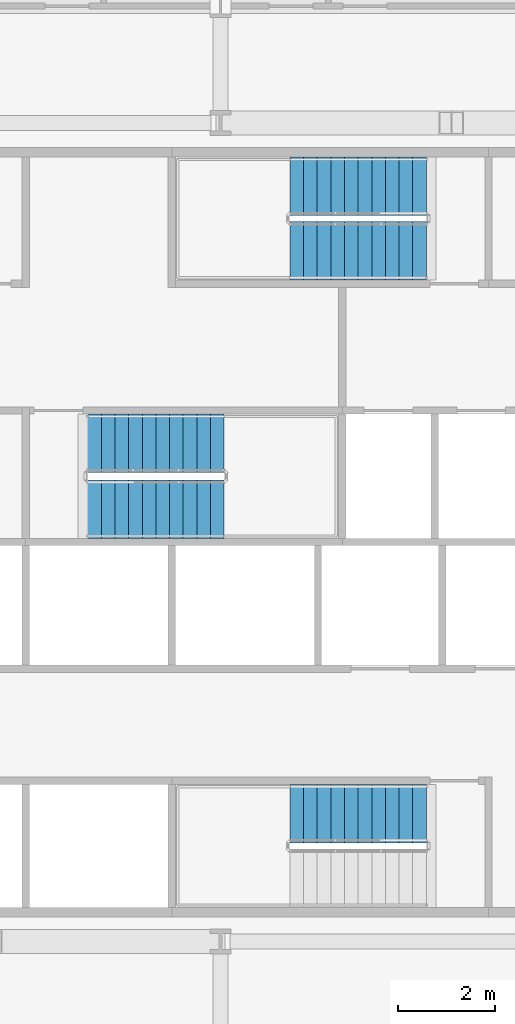
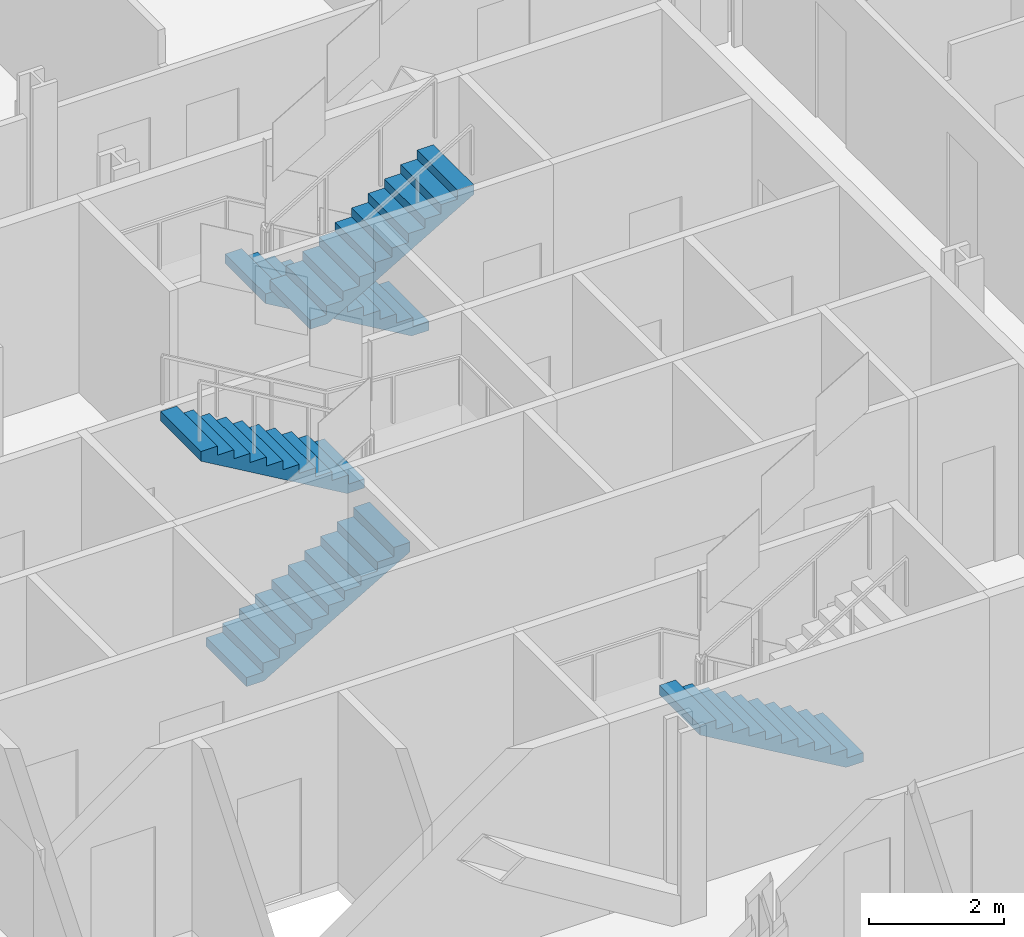
# One storey, part 14 of 21: 5 stair flights, 3 elements without a shape of their own.
"""IFC4 building model written with IfcOpenShell, lengths in metres."""

from ifc_helpers import new_model, si_unit, direction, frame, origin, place, context, subcontext, project, spatial, polyline, outline, extrude, material, type_object, element, aggregate, save


model = new_model("IFC4")

# Units and contexts
model_context = context("Model", 3, precision=1e-05, world=origin(), true_north=direction((0.0, 1.0)))
body_context = subcontext(model_context, "Body", "Model", "MODEL_VIEW")
ifc_project = project(units=[si_unit("LENGTHUNIT", "METRE"), si_unit("AREAUNIT", "SQUARE_METRE"), si_unit("VOLUMEUNIT", "CUBIC_METRE"), si_unit("PLANEANGLEUNIT", "RADIAN"), si_unit("MASSUNIT", "GRAM", prefix="KILO")], contexts=[model_context])

# Site, building, storey
site_placement = place(None, origin())
site = spatial("IfcSite", under=ifc_project, at=site_placement, CompositionType="ELEMENT")
building_placement = place(site_placement, origin())
building = spatial("IfcBuilding", under=site, at=building_placement, Name="Cairn Pilgrim Tower", CompositionType="ELEMENT")
storey_placement = place(building_placement, frame((0.0, 0.0, 69.0)))
storey = spatial("IfcBuildingStorey", under=building, at=storey_placement, Name="L15", CompositionType="ELEMENT", Elevation=69.0)

# Stair, stair flight
ifc_material = material(Name="Concrete C32/40", Category="concrete")
stair_type = type_object("IfcStairType", Name="EXIT STAIR 1200", PredefinedType="HALF_TURN_STAIR", material=ifc_material)
stair_1_placement = place(storey_placement, origin())
stair_1 = element("IfcStair", 1, at=stair_1_placement, inside=storey, type_object=stair_type, Name="L15 Exit Stair A", PredefinedType="HALF_TURN_STAIR")
stair_flight_type = type_object("IfcStairFlightType", Name="STAIR FLIGHT 1200", PredefinedType="STRAIGHT", material=ifc_material)
stair_flight_1_placement = place(storey_placement, frame((11.425048828125, -3.375, 0.0), z_axis=(0.0, 0.0, 1.0), x_axis=(-1.0, 0.0, 0.0)))
stair_flight_1 = element("IfcStairFlight", 2, at=stair_flight_1_placement, type_object=stair_flight_type, Name="ST-A flight 1", NumberOfRisers=11, NumberOfTreads=10, PredefinedType="STRAIGHT", RiserHeight=0.163636364, TreadLength=0.28, context=body_context, shape_type="SweptSolid", body=[
    extrude(outline(polyline([(0.0, 0.0), (0.0, 0.16357421875), (0.280029296875, 0.16357421875), (0.280029296875, 0.327392578125), (0.56005859375, 0.327392578125), (0.56005859375, 0.490966796875), (0.840087890625, 0.490966796875), (0.840087890625, 0.654541015625), (1.1201171875, 0.654541015625), (1.1201171875, 0.818115234375), (1.39990234375, 0.818115234375), (1.39990234375, 0.98193359375), (1.679931640625, 0.98193359375), (1.679931640625, 1.1455078125), (1.9599609375, 1.1455078125), (1.9599609375, 1.30908203125), (2.239990234375, 1.30908203125), (2.239990234375, 1.47265625), (2.52001953125, 1.47265625), (2.52001953125, 1.636474609375), (2.800048828125, 1.636474609375), (2.800048828125, 1.800048828125), (2.800048828125, 1.462646484375), (0.297119140625, 0.0), (0.0, 0.0)])), frame((0.0, 0.60009765625, 0.0), z_axis=(0.0, -1.0, 0.0), x_axis=(1.0, 0.0, 0.0)), (0.0, 0.0, 1.0), 1.199951171875),
])
aggregate(stair_1, [stair_flight_1])

# Stair, stair flights
stair_2_placement = place(storey_placement, origin())
stair_2 = element("IfcStair", 3, at=stair_2_placement, inside=storey, type_object=stair_type, Name="L15 Exit Stair B", PredefinedType="HALF_TURN_STAIR")
stair_flight_2_placement = place(storey_placement, frame((4.47509765625, 2.875, 0.0), z_axis=(0.0, 0.0, 1.0), x_axis=(1.0, 0.0, 0.0)))
stair_flight_2 = element("IfcStairFlight", 4, at=stair_flight_2_placement, type_object=stair_flight_type, Name="ST-B flight 1", NumberOfRisers=11, NumberOfTreads=10, PredefinedType="STRAIGHT", RiserHeight=0.163636364, TreadLength=0.28, context=body_context, shape_type="SweptSolid", body=[
    extrude(outline(polyline([(0.0, 0.0), (0.0, 0.16357421875), (0.280029296875, 0.16357421875), (0.280029296875, 0.327392578125), (0.56005859375, 0.327392578125), (0.56005859375, 0.490966796875), (0.840087890625, 0.490966796875), (0.840087890625, 0.654541015625), (1.1201171875, 0.654541015625), (1.1201171875, 0.818115234375), (1.39990234375, 0.818115234375), (1.39990234375, 0.98193359375), (1.679931640625, 0.98193359375), (1.679931640625, 1.1455078125), (1.9599609375, 1.1455078125), (1.9599609375, 1.30908203125), (2.239990234375, 1.30908203125), (2.239990234375, 1.47265625), (2.52001953125, 1.47265625), (2.52001953125, 1.636474609375), (2.800048828125, 1.636474609375), (2.800048828125, 1.800048828125), (2.800048828125, 1.462646484375), (0.297119140625, 0.0), (0.0, 0.0)])), frame((0.0, 0.60009765625, 0.0), z_axis=(0.0, -1.0, 0.0), x_axis=(1.0, 0.0, 0.0)), (0.0, 0.0, 1.0), 1.199951171875),
])
stair_flight_3_placement = place(storey_placement, frame((7.27490234375, 4.22509765625, 1.800048828125), z_axis=(0.0, 0.0, 1.0), x_axis=(-1.0, 0.0, 0.0)))
stair_flight_3 = element("IfcStairFlight", 5, at=stair_flight_3_placement, type_object=stair_flight_type, Name="ST-B flight 2", NumberOfRisers=11, NumberOfTreads=10, PredefinedType="STRAIGHT", RiserHeight=0.163636364, TreadLength=0.28, context=body_context, shape_type="SweptSolid", body=[
    extrude(outline(polyline([(0.0, 0.0), (0.0, 0.16357421875), (0.280029296875, 0.16357421875), (0.280029296875, 0.327392578125), (0.56005859375, 0.327392578125), (0.56005859375, 0.490966796875), (0.840087890625, 0.490966796875), (0.840087890625, 0.654541015625), (1.1201171875, 0.654541015625), (1.1201171875, 0.818115234375), (1.39990234375, 0.818115234375), (1.39990234375, 0.98193359375), (1.679931640625, 0.98193359375), (1.679931640625, 1.1455078125), (1.9599609375, 1.1455078125), (1.9599609375, 1.30908203125), (2.239990234375, 1.30908203125), (2.239990234375, 1.47265625), (2.52001953125, 1.47265625), (2.52001953125, 1.636474609375), (2.800048828125, 1.636474609375), (2.800048828125, 1.800048828125), (2.800048828125, 1.462646484375), (0.297119140625, 0.0), (0.0, 0.0)])), frame((0.0, 0.60009765625, 0.0), z_axis=(0.0, -1.0, 0.0), x_axis=(1.0, 0.0, 0.0)), (0.0, 0.0, 1.0), 1.199951171875),
])
aggregate(stair_2, [stair_flight_2, stair_flight_3])

stair_3_placement = place(storey_placement, origin())
stair_3 = element("IfcStair", 6, at=stair_3_placement, inside=storey, type_object=stair_type, Name="L15 Exit Stair C", PredefinedType="HALF_TURN_STAIR")
stair_flight_4_placement = place(storey_placement, frame((11.425048828125, 9.5, 0.0), z_axis=(0.0, 0.0, 1.0), x_axis=(-1.0, 0.0, 0.0)))
stair_flight_4 = element("IfcStairFlight", 7, at=stair_flight_4_placement, type_object=stair_flight_type, Name="ST-C flight 1", NumberOfRisers=11, NumberOfTreads=10, PredefinedType="STRAIGHT", RiserHeight=0.163636364, TreadLength=0.28, context=body_context, shape_type="SweptSolid", body=[
    extrude(outline(polyline([(0.0, 0.0), (0.0, 0.16357421875), (0.280029296875, 0.16357421875), (0.280029296875, 0.327392578125), (0.56005859375, 0.327392578125), (0.56005859375, 0.490966796875), (0.840087890625, 0.490966796875), (0.840087890625, 0.654541015625), (1.1201171875, 0.654541015625), (1.1201171875, 0.818115234375), (1.39990234375, 0.818115234375), (1.39990234375, 0.98193359375), (1.679931640625, 0.98193359375), (1.679931640625, 1.1455078125), (1.9599609375, 1.1455078125), (1.9599609375, 1.30908203125), (2.239990234375, 1.30908203125), (2.239990234375, 1.47265625), (2.52001953125, 1.47265625), (2.52001953125, 1.636474609375), (2.800048828125, 1.636474609375), (2.800048828125, 1.800048828125), (2.800048828125, 1.462646484375), (0.297119140625, 0.0), (0.0, 0.0)])), frame((0.0, 0.60009765625, 0.0), z_axis=(0.0, -1.0, 0.0), x_axis=(1.0, 0.0, 0.0)), (0.0, 0.0, 1.0), 1.199951171875),
])
stair_flight_5_placement = place(storey_placement, frame((8.625, 8.175048828125, 1.800048828125), z_axis=(0.0, 0.0, 1.0), x_axis=(1.0, 0.0, 0.0)))
stair_flight_5 = element("IfcStairFlight", 8, at=stair_flight_5_placement, type_object=stair_flight_type, Name="ST-C flight 2", NumberOfRisers=11, NumberOfTreads=10, PredefinedType="STRAIGHT", RiserHeight=0.163636364, TreadLength=0.28, context=body_context, shape_type="SweptSolid", body=[
    extrude(outline(polyline([(0.0, 0.0), (0.0, 0.16357421875), (0.280029296875, 0.16357421875), (0.280029296875, 0.327392578125), (0.56005859375, 0.327392578125), (0.56005859375, 0.490966796875), (0.840087890625, 0.490966796875), (0.840087890625, 0.654541015625), (1.1201171875, 0.654541015625), (1.1201171875, 0.818115234375), (1.39990234375, 0.818115234375), (1.39990234375, 0.98193359375), (1.679931640625, 0.98193359375), (1.679931640625, 1.1455078125), (1.9599609375, 1.1455078125), (1.9599609375, 1.30908203125), (2.239990234375, 1.30908203125), (2.239990234375, 1.47265625), (2.52001953125, 1.47265625), (2.52001953125, 1.636474609375), (2.800048828125, 1.636474609375), (2.800048828125, 1.800048828125), (2.800048828125, 1.462646484375), (0.297119140625, 0.0), (0.0, 0.0)])), frame((0.0, 0.60009765625, 0.0), z_axis=(0.0, -1.0, 0.0), x_axis=(1.0, 0.0, 0.0)), (0.0, 0.0, 1.0), 1.199951171875),
])
aggregate(stair_3, [stair_flight_4, stair_flight_5])

save(model, "model.ifc")
